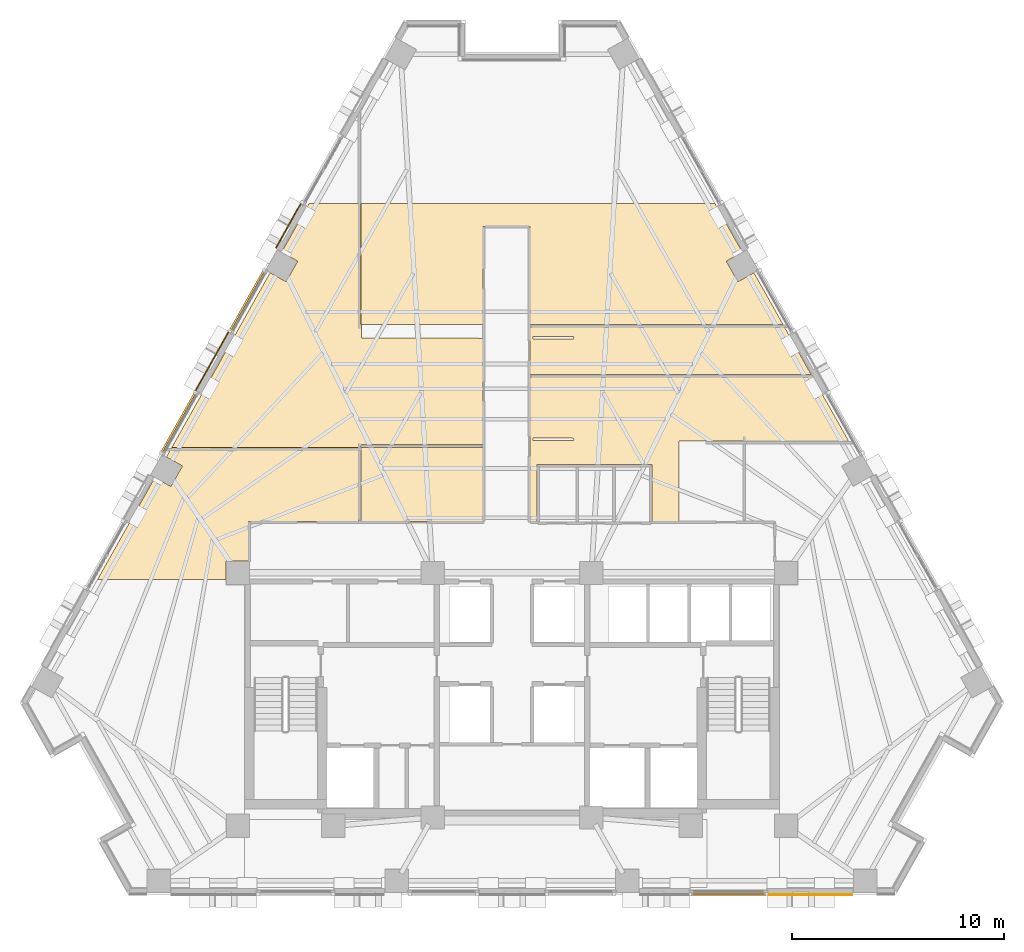
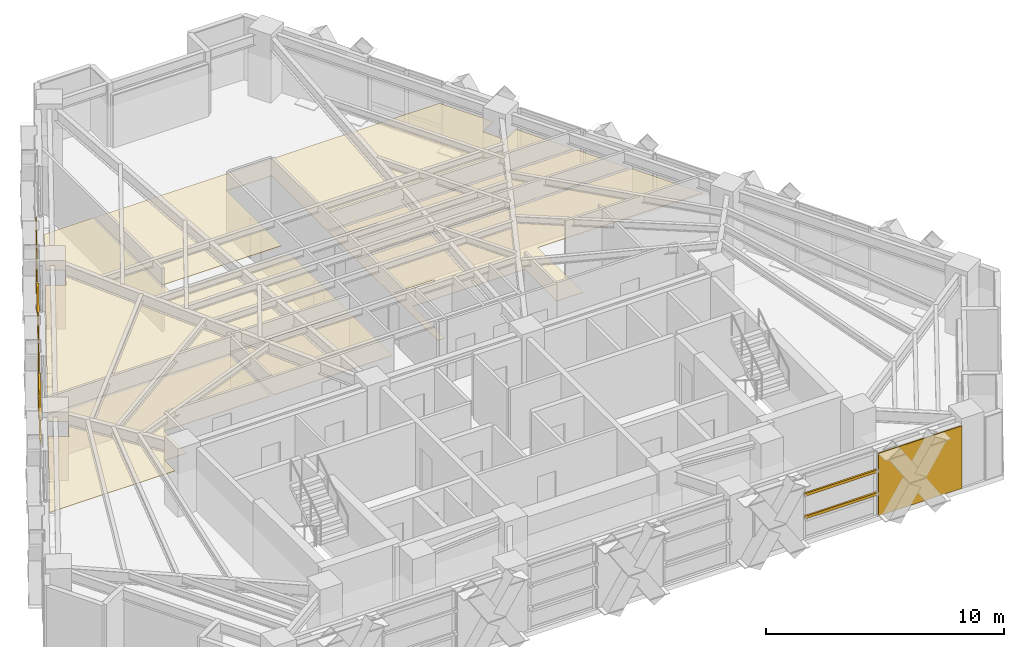
# One storey, part 12 of 14: 9 coverings, 6 shading devices.
"""IFC4 building model written with IfcOpenShell, lengths in metres."""

from ifc_helpers import new_model, si_unit, direction, frame, origin, origin_2d, place, context, subcontext, project, spatial, polyline, rectangle, outline, extrude, material, layer, layer_set, material_profile, profile_set, type_object, element, save


model = new_model("IFC4")

# Units and contexts
model_context = context("Model", 3, precision=1e-05, world=origin(), true_north=direction((0.0, 1.0)))
body_context = subcontext(model_context, "Body", "Model", "MODEL_VIEW")
ifc_project = project(units=[si_unit("LENGTHUNIT", "METRE"), si_unit("AREAUNIT", "SQUARE_METRE"), si_unit("VOLUMEUNIT", "CUBIC_METRE"), si_unit("PLANEANGLEUNIT", "RADIAN"), si_unit("MASSUNIT", "GRAM", prefix="KILO")], contexts=[model_context])

# Site, building, storey
site_placement = place(None, origin())
site = spatial("IfcSite", under=ifc_project, at=site_placement, CompositionType="ELEMENT")
building_placement = place(site_placement, origin())
building = spatial("IfcBuilding", under=site, at=building_placement, Name="Quenlor Broadcast Tower", CompositionType="ELEMENT")
storey_placement = place(building_placement, frame((0.0, 0.0, 102.0)))
storey = spatial("IfcBuildingStorey", under=building, at=storey_placement, Name="L27", CompositionType="ELEMENT", Elevation=102.0)

# Coverings
ifc_material_1 = material(Name="Acoustic Mineral Fibre Board", Category="other")
ifc_layer_1 = layer(ifc_material_1, 0.02490234375)
ifc_layer_set_1 = layer_set([ifc_layer_1], Name="Acoustic Perforated Mineral Tile Ceiling 25")
covering_type_1 = type_object("IfcCoveringType", Name="Acoustic Perforated Mineral Tile Ceiling 25", PredefinedType="CEILING", material=ifc_layer_set_1)
covering_1_placement = place(storey_placement, frame((0.0, 0.0, 2.22509765625)))
element("IfcCovering", 1, at=covering_1_placement, inside=storey, type_object=covering_type_1, Name="L27 Acoustic Ceiling L27-28", PredefinedType="CEILING", context=body_context, shape_type="SweptSolid", body=[
    extrude(outline(polyline([(-7.139892578125, 12.64990234375), (9.59423828125, 12.64990234375), (10.883544921875, 10.35791015625), (10.126953125, 9.9326171875), (10.674072265625, 8.959716796875), (11.4306640625, 9.38525390625), (12.80810546875, 6.936279296875), (0.840087890625, 6.936279296875), (0.840087890625, 11.580078125), (-1.360107421875, 11.580078125), (-1.360107421875, 6.936279296875), (-7.139892578125, 6.936279296875), (-7.139892578125, 12.64990234375)])), origin(), (0.0, 0.0, 1.0), 0.02490234375),
])
covering_2_placement = place(storey_placement, frame((0.0, 0.0, 2.22509765625)))
element("IfcCovering", 2, at=covering_2_placement, inside=storey, type_object=covering_type_1, Name="L27 Acoustic Ceiling L27-29", PredefinedType="CEILING", context=body_context, shape_type="SweptSolid", body=[
    extrude(outline(polyline([(-7.15380859375, 1.15380859375), (-7.1767578125, 1.13525390625), (-7.20263671875, 1.121337890625), (-7.230712890625, 1.11279296875), (-7.260009765625, 1.110107421875), (-16.001220703125, 1.110107421875), (-16.03076171875, 1.11279296875), (-16.05908203125, 1.12158203125), (-16.07470703125, 1.12939453125), (-13.177734375, 6.279296875), (-11.4306640625, 9.38525390625), (-10.674072265625, 8.959716796875), (-10.126953125, 9.9326171875), (-10.883544921875, 10.35791015625), (-9.59423828125, 12.64990234375), (-7.1103515625, 12.64990234375), (-7.110107421875, 6.409912109375), (-7.11279296875, 6.380615234375), (-7.121337890625, 6.3525390625), (-7.116455078125, 6.33349609375), (-7.110595703125, 6.3046875), (-1.360107421875, 6.2900390625), (-1.360107421875, 1.260009765625), (-7.110107421875, 1.260009765625), (-7.11279296875, 1.230712890625), (-7.121337890625, 1.20263671875), (-7.13525390625, 1.1767578125), (-7.15380859375, 1.15380859375)])), origin(), (0.0, 0.0, 1.0), 0.02490234375),
])
covering_3_placement = place(storey_placement, frame((0.0, 0.0, 2.22509765625)))
element("IfcCovering", 3, at=covering_3_placement, inside=storey, type_object=covering_type_1, Name="L27 Acoustic Ceiling L27-30", PredefinedType="CEILING", context=body_context, shape_type="SweptSolid", body=[
    extrude(outline(polyline([(12.875732421875, 6.81640625), (14.130859375, 4.5849609375), (0.840087890625, 4.5849609375), (0.840087890625, 6.81640625), (12.875732421875, 6.81640625)]), holes=[polyline([(2.91064453125, 6.365234375), (1.0, 6.3798828125), (1.0, 6.260009765625), (2.909912109375, 6.260009765625), (2.912841796875, 6.289306640625), (2.922607421875, 6.320068359375), (2.91650390625, 6.33642578125), (2.91064453125, 6.365234375)])]), origin(), (0.0, 0.0, 1.0), 0.02490234375),
])
covering_4_placement = place(storey_placement, frame((0.0, 0.0, 2.22509765625)))
element("IfcCovering", 4, at=covering_4_placement, inside=storey, type_object=covering_type_1, Name="L27 Acoustic Ceiling L27-31", PredefinedType="CEILING", context=body_context, shape_type="SweptSolid", body=[
    extrude(outline(polyline([(15.89453125, 1.449462890625), (15.879150390625, 1.441650390625), (15.8505859375, 1.432861328125), (15.8212890625, 1.429931640625), (7.889892578125, 1.429931640625), (7.889892578125, -2.3701171875), (6.6201171875, -2.3701171875), (6.6201171875, 0.320068359375), (2.909912109375, 0.320068359375), (1.179931640625, 0.320068359375), (1.179931640625, -2.3701171875), (0.840087890625, -2.3701171875), (0.840087890625, 4.465087890625), (14.1982421875, 4.465087890625), (15.822265625, 1.578125), (15.89453125, 1.449462890625)]), holes=[polyline([(1.0, 1.4599609375), (2.909912109375, 1.4599609375), (2.912841796875, 1.4892578125), (2.92138671875, 1.517333984375), (2.91650390625, 1.53662109375), (2.91064453125, 1.565185546875), (1.0, 1.580078125), (1.0, 1.4599609375)])]), origin(), (0.0, 0.0, 1.0), 0.02490234375),
])
covering_5_placement = place(storey_placement, frame((0.0, 0.0, 2.22509765625)))
element("IfcCovering", 5, at=covering_5_placement, inside=storey, type_object=covering_type_1, Name="L27 Acoustic Ceiling L27-33", PredefinedType="CEILING", context=body_context, shape_type="SweptSolid", body=[
    extrude(outline(polyline([(-1.360107421875, 1.139892578125), (-1.360107421875, -2.3701171875), (-7.139892578125, -2.3701171875), (-7.139892578125, 1.139892578125), (-1.360107421875, 1.139892578125)])), origin(), (0.0, 0.0, 1.0), 0.02490234375),
])
covering_6_placement = place(storey_placement, frame((0.0, 0.0, 2.22509765625)))
element("IfcCovering", 6, at=covering_6_placement, inside=storey, type_object=covering_type_1, Name="L27 Acoustic Ceiling L27-35", PredefinedType="CEILING", context=body_context, shape_type="SweptSolid", body=[
    extrude(outline(polyline([(-16.873779296875, -0.29150390625), (-16.1171875, -0.717041015625), (-15.5703125, 0.255615234375), (-16.32666015625, 0.68115234375), (-16.068603515625, 1.139892578125), (-7.260009765625, 1.139892578125), (-7.260009765625, -2.3701171875), (-12.43994140625, -2.3701171875), (-12.43994140625, -4.241943359375), (-13.508056640625, -4.241943359375), (-13.508056640625, -5.1201171875), (-19.58984375, -5.1201171875), (-16.873779296875, -0.29150390625)])), origin(), (0.0, 0.0, 1.0), 0.02490234375),
])

# Shading devices
ifc_material_2 = material(Name="Architectural Terracotta Ceramic", Category="masonry")
ifc_material_profile = material_profile(ifc_material_2, rectangle(XDim=0.090087890625, YDim=0.139892578125, at=origin_2d()))
ifc_profile_set = profile_set([ifc_material_profile], Name="Architectural Terracotta Ceramic BAG90x140")
shading_device_type = type_object("IfcShadingDeviceType", Name="Copper Terracotta Baguette Solar Screen 140", PredefinedType="USERDEFINED", material=ifc_profile_set)
for number, where, z_axis, x_axis, name in (
    (7, (11.981689453125, -19.972900390625, 1.169921875), (-1.0, 0.0, 0.0), (0.0, -1.0, 0.0), "L27 Terracotta Baguette Screen 1"),
    (8, (11.981689453125, -19.972900390625, 2.340087890625), (-1.0, 0.0, 0.0), (0.0, -1.0, 0.0), "L27 Terracotta Baguette Screen 2"),
):
    element("IfcShadingDevice", number, at=place(storey_placement, frame(where, z_axis=z_axis, x_axis=x_axis)), inside=storey, type_object=shading_device_type, Name=name, ObjectType="BAGUETTE", PredefinedType="USERDEFINED", context=body_context, shape_type="SweptSolid", body=[
        extrude(rectangle(XDim=0.090087890625, YDim=0.139892578125, at=origin_2d()), origin(), (0.0, 0.0, 1.0), 3.510498046875),
    ])
for number, where, z_axis, x_axis, name in (
    (9, (-16.5751953125, 0.8779296875, 1.169921875), (0.490254145389, 0.871579527599, 0.0), (-0.871579527599, 0.490254145389, 0.0), "L27 Terracotta Baguette Screen 1"),
    (10, (-16.5751953125, 0.8779296875, 2.340087890625), (0.490254145389, 0.871579527599, 0.0), (-0.871579527599, 0.490254145389, 0.0), "L27 Terracotta Baguette Screen 2"),
    (11, (-13.32958984375, 6.6474609375, 1.169921875), (0.490254145389, 0.871579527599, 0.0), (-0.871579527599, 0.490254145389, 0.0), "L27 Terracotta Baguette Screen 1"),
    (12, (-13.32958984375, 6.6474609375, 2.340087890625), (0.490254145389, 0.871579527599, 0.0), (-0.871579527599, 0.490254145389, 0.0), "L27 Terracotta Baguette Screen 2"),
):
    element("IfcShadingDevice", number, at=place(storey_placement, frame(where, z_axis=z_axis, x_axis=x_axis)), inside=storey, type_object=shading_device_type, Name=name, ObjectType="BAGUETTE", PredefinedType="USERDEFINED", context=body_context, shape_type="SweptSolid", body=[
        extrude(rectangle(XDim=0.090087890625, YDim=0.139892578125, at=origin_2d()), origin(), (0.0, 0.0, 1.0), 3.267822265625),
    ])

# Coverings
ifc_material_3 = material(Name="Architectural Terracotta Ceramic", Category="masonry")
ifc_layer_2 = layer(ifc_material_3, 0.044921875)
ifc_layer_set_2 = layer_set([ifc_layer_2], Name="Fluted Terracotta Rainscreen Cladding Panel")
covering_type_2 = type_object("IfcCoveringType", Name="Fluted Terracotta Rainscreen Cladding Panel", PredefinedType="CLADDING", material=ifc_layer_set_2)
covering_7_placement = place(storey_placement, frame((0.0, 0.0, 0.02001953125)))
element("IfcCovering", 13, at=covering_7_placement, inside=storey, type_object=covering_type_2, Name="L27 Terracotta Rainscreen Cladding L27-SA-SP1", PredefinedType="CLADDING", context=body_context, shape_type="SweptSolid", body=[
    extrude(outline(polyline([(16.08740234375, -19.971923828125), (12.04931640625, -19.971923828125), (12.04931640625, -20.01708984375), (16.08740234375, -20.01708984375), (16.08740234375, -19.971923828125)])), origin(), (0.0, 0.0, 1.0), 3.2099609375),
])
covering_8_placement = place(storey_placement, frame((0.0, 0.0, 0.02001953125)))
element("IfcCovering", 14, at=covering_8_placement, inside=storey, type_object=covering_type_2, Name="L27 Terracotta Rainscreen Cladding L27-NWC-SP1", PredefinedType="CLADDING", context=body_context, shape_type="SweptSolid", body=[
    extrude(outline(polyline([(-11.13232421875, 10.552001953125), (-9.948974609375, 12.656005859375), (-9.98828125, 12.677978515625), (-11.171630859375, 10.57421875), (-11.13232421875, 10.552001953125)])), origin(), (0.0, 0.0, 1.0), 3.2099609375),
])
covering_9_placement = place(storey_placement, frame((0.0, 0.0, 0.02001953125)))
element("IfcCovering", 15, at=covering_9_placement, inside=storey, type_object=covering_type_2, Name="L27 Terracotta Rainscreen Cladding L27-NW-SP1", PredefinedType="CLADDING", context=body_context, shape_type="SweptSolid", body=[
    extrude(outline(polyline([(-14.939208984375, 3.784423828125), (-13.362060546875, 6.588134765625), (-13.401123046875, 6.610107421875), (-14.978515625, 3.806396484375), (-14.939208984375, 3.784423828125)])), origin(), (0.0, 0.0, 1.0), 3.2099609375),
])

save(model, "model.ifc")
